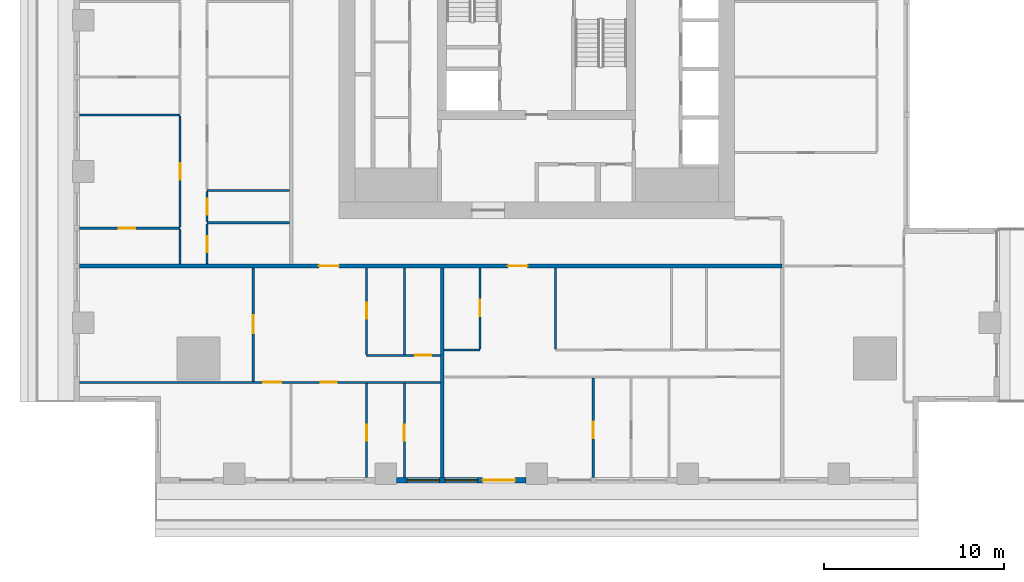
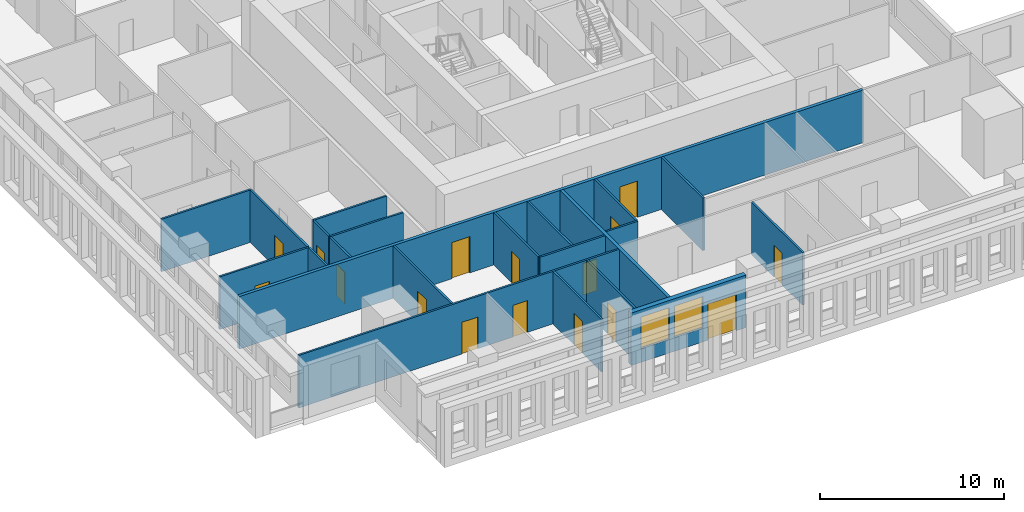
# One storey, part 2 of 15: 22 walls, 16 doors, 2 windows, 18 openings.
"""IFC4 building model written with IfcOpenShell, lengths in metres."""

from ifc_helpers import new_model, si_unit, direction, frame, frame_2d, origin, place, context, subcontext, project, spatial, rectangle, extrude, material, layer, layer_set, type_object, element, fill, save


model = new_model("IFC4")

# Units and contexts
model_context = context("Model", 3, precision=1e-05, world=origin(), true_north=direction((0.0, 1.0)))
body_context = subcontext(model_context, "Body", "Model", "MODEL_VIEW")
ifc_project = project(units=[si_unit("LENGTHUNIT", "METRE"), si_unit("AREAUNIT", "SQUARE_METRE"), si_unit("VOLUMEUNIT", "CUBIC_METRE"), si_unit("PLANEANGLEUNIT", "RADIAN"), si_unit("MASSUNIT", "GRAM", prefix="KILO")], contexts=[model_context])

# Site, building, storey
site_placement = place(None, origin())
site = spatial("IfcSite", under=ifc_project, at=site_placement, CompositionType="ELEMENT")
building_placement = place(site_placement, origin())
building = spatial("IfcBuilding", under=site, at=building_placement, Name="Khepri Terraces", CompositionType="ELEMENT")
storey_placement = place(building_placement, frame((0.0, 0.0, 223.5)))
storey = spatial("IfcBuildingStorey", under=building, at=storey_placement, Name="L53", CompositionType="ELEMENT", Elevation=223.5)

# Wall
ifc_material_1 = material(Name="Fire-rated gypsum plasterboard partition, mineral wool")
ifc_layer_1 = layer(ifc_material_1, 0.199951171875, Name="Fire-rated gypsum plasterboard partition, mineral wool")
ifc_layer_set_1 = layer_set([ifc_layer_1], Name="Fire-rated gypsum plasterboard partition, mineral wool")
wall_type_1 = type_object("IfcWallType", Name="WL-CORR-200", PredefinedType="PARTITIONING", material=ifc_layer_set_1)
wall_1_placement = place(storey_placement, frame((-5.25, -25.419921875, 0.0), z_axis=(0.0, 0.0, 1.0), x_axis=(0.0, 1.0, 0.0)))
element("IfcWall", 1, at=wall_1_placement, inside=storey, type_object=wall_type_1, Name="Partition P-004 L53", PredefinedType="PARTITIONING", context=body_context, shape_type="SweptSolid", body=[
    extrude(rectangle(XDim=11.669921875, YDim=0.199951171875, at=frame_2d((5.8349609375, 0.0))), origin(), (0.0, 0.0, 1.0), 3.47998046875),
])

# Wall, openings, doors
wall_2_placement = place(storey_placement, frame((-25.419921875, -13.64990234375, 0.0), z_axis=(0.0, 0.0, 1.0), x_axis=(1.0, 0.0, 0.0)))
wall_2 = element("IfcWall", 2, at=wall_2_placement, inside=storey, type_object=wall_type_1, Name="Partition P-023 L53", PredefinedType="PARTITIONING", context=body_context, shape_type="SweptSolid", body=[
    extrude(rectangle(XDim=39.06982421875, YDim=0.199951171875, at=frame_2d((19.534912109375, 0.0))), origin(), (0.0, 0.0, 1.0), 3.47998046875),
])
opening_1_placement = place(wall_2_placement, frame((13.320068359375, 0.0, 0.0)))
opening_1 = element("IfcOpeningElement", 3, at=opening_1_placement, cuts=wall_2, Name="Opening D1", PredefinedType="OPENING", context=body_context, shape_type="SweptSolid", body=[
    extrude(rectangle(XDim=1.10009765625, YDim=2.39990234375, at=frame_2d((0.550048828125, 1.199951171875))), frame((0.0, 0.10986328125, 0.0), z_axis=(0.0, -1.0, 0.0), x_axis=(1.0, 0.0, 0.0)), (0.0, 0.0, 1.0), 0.219970703125),
])
opening_2_placement = place(wall_2_placement, frame((23.820068359375, 0.0, 0.0)))
opening_2 = element("IfcOpeningElement", 4, at=opening_2_placement, cuts=wall_2, Name="Opening D1", PredefinedType="OPENING", context=body_context, shape_type="SweptSolid", body=[
    extrude(rectangle(XDim=1.10009765625, YDim=2.39990234375, at=frame_2d((0.550048828125, 1.199951171875))), frame((0.0, 0.10986328125, 0.0), z_axis=(0.0, -1.0, 0.0), x_axis=(1.0, 0.0, 0.0)), (0.0, 0.0, 1.0), 0.219970703125),
])
ifc_material_2 = material(Name="Solid-core timber door leaf, flat entrance door", Category="wood")
door_type_1 = type_object("IfcDoorType", Name="DR-ENT-1100", OperationType="NOTDEFINED", PredefinedType="DOOR", material=ifc_material_2)
door_1_placement = place(opening_1_placement, frame((1.10009765625, 0.0, 0.0), z_axis=(0.0, 0.0, 1.0), x_axis=(-1.0, 0.0, 0.0)))
door_1 = element("IfcDoor", 5, at=door_1_placement, inside=storey, type_object=door_type_1, Name="Flat A1 entrance door", OperationType="SINGLE_SWING_RIGHT", OverallHeight=2.39990234375, OverallWidth=1.10009765625, PredefinedType="DOOR", context=body_context, shape_type="SweptSolid", body=[
    extrude(rectangle(XDim=1.10009765625, YDim=2.39990234375, at=frame_2d((0.550048828125, 1.199951171875))), frame((0.0, 0.02490234375, 0.0), z_axis=(0.0, -1.0, 0.0), x_axis=(1.0, 0.0, 0.0)), (0.0, 0.0, 1.0), 0.050048828125),
])
fill(opening_1, door_1)
door_2_placement = place(opening_2_placement, frame((1.10009765625, 0.0, 0.0), z_axis=(0.0, 0.0, 1.0), x_axis=(-1.0, 0.0, 0.0)))
door_2 = element("IfcDoor", 6, at=door_2_placement, inside=storey, type_object=door_type_1, Name="Flat A2 entrance door", OperationType="SINGLE_SWING_LEFT", OverallHeight=2.39990234375, OverallWidth=1.10009765625, PredefinedType="DOOR", context=body_context, shape_type="SweptSolid", body=[
    extrude(rectangle(XDim=1.10009765625, YDim=2.39990234375, at=frame_2d((0.550048828125, 1.199951171875))), frame((0.0, 0.02490234375, 0.0), z_axis=(0.0, -1.0, 0.0), x_axis=(1.0, 0.0, 0.0)), (0.0, 0.0, 1.0), 0.050048828125),
])
fill(opening_2, door_2)

# Wall, openings, door, windows
ifc_material_3 = material(Name="Precast concrete C50/60 warm stone", Category="masonry")
ifc_layer_2 = layer(ifc_material_3, 0.300048828125, Name="Precast concrete C50/60 warm stone", Category="masonry")
ifc_layer_set_2 = layer_set([ifc_layer_2], Name="Precast concrete C50/60 warm stone")
wall_type_2 = type_object("IfcWallType", Name="WL-EXT-PRECAST-300", PredefinedType="STANDARD", material=ifc_layer_set_2)
wall_3_placement = place(storey_placement, frame((-7.800048828125, -25.570068359375, 0.0), z_axis=(0.0, 0.0, 1.0), x_axis=(1.0, 0.0, 0.0)))
wall_3 = element("IfcWall", 7, at=wall_3_placement, inside=storey, type_object=wall_type_2, Name="External wall L53 S", PredefinedType="STANDARD", context=body_context, shape_type="SweptSolid", body=[
    extrude(rectangle(XDim=7.199951171875, YDim=0.300048828125, at=frame_2d((3.60009765625, 0.0))), origin(), (0.0, 0.0, 1.0), 3.47998046875),
])
opening_3_placement = place(wall_3_placement, frame((0.60009765625, 0.0, 0.89990234375)))
opening_3 = element("IfcOpeningElement", 8, at=opening_3_placement, cuts=wall_3, Name="Opening W1", PredefinedType="OPENING", context=body_context, shape_type="SweptSolid", body=[
    extrude(rectangle(XDim=1.800048828125, YDim=2.10009765625, at=frame_2d((0.89990234375, 1.050048828125))), frame((0.0, 0.16015625, 0.0), z_axis=(0.0, -1.0, 0.0), x_axis=(1.0, 0.0, 0.0)), (0.0, 0.0, 1.0), 0.320068359375),
])
opening_4_placement = place(wall_3_placement, frame((2.699951171875, 0.0, 0.89990234375)))
opening_4 = element("IfcOpeningElement", 9, at=opening_4_placement, cuts=wall_3, Name="Opening W1", PredefinedType="OPENING", context=body_context, shape_type="SweptSolid", body=[
    extrude(rectangle(XDim=1.800048828125, YDim=2.10009765625, at=frame_2d((0.89990234375, 1.050048828125))), frame((0.0, 0.16015625, 0.0), z_axis=(0.0, -1.0, 0.0), x_axis=(1.0, 0.0, 0.0)), (0.0, 0.0, 1.0), 0.320068359375),
])
opening_5_placement = place(wall_3_placement, frame((4.800048828125, 0.0, 0.0)))
opening_5 = element("IfcOpeningElement", 10, at=opening_5_placement, cuts=wall_3, Name="Opening ED-L53-17", PredefinedType="OPENING", context=body_context, shape_type="SweptSolid", body=[
    extrude(rectangle(XDim=1.800048828125, YDim=2.39990234375, at=frame_2d((0.89990234375, 1.199951171875))), frame((0.0, 0.16015625, 0.0), z_axis=(0.0, -1.0, 0.0), x_axis=(1.0, 0.0, 0.0)), (0.0, 0.0, 1.0), 0.320068359375),
])
ifc_material_4 = material(Name="Anodised aluminium bronze glazed door", Category="aluminium")
door_type_2 = type_object("IfcDoorType", Name="DR-BAL-SLIDE-1800x2400", OperationType="NOTDEFINED", PredefinedType="DOOR", material=ifc_material_4)
door_3_placement = place(opening_5_placement, origin())
door_3 = element("IfcDoor", 11, at=door_3_placement, inside=storey, type_object=door_type_2, Name="Balcony door L53 S", OperationType="SLIDING_TO_RIGHT", OverallHeight=2.39990234375, OverallWidth=1.800048828125, PredefinedType="DOOR", context=body_context, shape_type="SweptSolid", body=[
    extrude(rectangle(XDim=1.800048828125, YDim=2.39990234375, at=frame_2d((0.89990234375, 1.199951171875))), frame((0.0, 0.02490234375, 0.0), z_axis=(0.0, -1.0, 0.0), x_axis=(1.0, 0.0, 0.0)), (0.0, 0.0, 1.0), 0.050048828125),
])
fill(opening_5, door_3)
ifc_material_5 = material(Name="Clear glass", Category="glass")
window_type = type_object("IfcWindowType", Name="WIN-RES-1800x2100", PartitioningType="SINGLE_PANEL", PredefinedType="WINDOW", material=ifc_material_5)
window_1_placement = place(opening_3_placement, origin())
window_1 = element("IfcWindow", 12, at=window_1_placement, inside=storey, type_object=window_type, Name="Window L53 S", OverallHeight=2.10009765625, OverallWidth=1.800048828125, PartitioningType="SINGLE_PANEL", PredefinedType="WINDOW", context=body_context, shape_type="SweptSolid", body=[
    extrude(rectangle(XDim=1.800048828125, YDim=2.10009765625, at=frame_2d((0.89990234375, 1.050048828125))), frame((0.0, 0.030029296875, 0.0), z_axis=(0.0, -1.0, 0.0), x_axis=(1.0, 0.0, 0.0)), (0.0, 0.0, 1.0), 0.06005859375),
])
fill(opening_3, window_1)
window_2_placement = place(opening_4_placement, origin())
window_2 = element("IfcWindow", 13, at=window_2_placement, inside=storey, type_object=window_type, Name="Window L53 S", OverallHeight=2.10009765625, OverallWidth=1.800048828125, PartitioningType="SINGLE_PANEL", PredefinedType="WINDOW", context=body_context, shape_type="SweptSolid", body=[
    extrude(rectangle(XDim=1.800048828125, YDim=2.10009765625, at=frame_2d((0.89990234375, 1.050048828125))), frame((0.0, 0.030029296875, 0.0), z_axis=(0.0, -1.0, 0.0), x_axis=(1.0, 0.0, 0.0)), (0.0, 0.0, 1.0), 0.06005859375),
])
fill(opening_4, window_2)

# Wall, opening, door
ifc_material_6 = material(Name="Gypsum plasterboard partition")
ifc_layer_3 = layer(ifc_material_6, 0.1201171875, Name="Gypsum plasterboard partition")
ifc_layer_set_3 = layer_set([ifc_layer_3], Name="Gypsum plasterboard partition")
wall_type_3 = type_object("IfcWallType", Name="WL-PART-120", PredefinedType="PARTITIONING", material=ifc_layer_set_3)
wall_4_placement = place(storey_placement, frame((-9.449951171875, -25.419921875, 0.0), z_axis=(0.0, 0.0, 1.0), x_axis=(0.0, 1.0, 0.0)))
wall_4 = element("IfcWall", 14, at=wall_4_placement, inside=storey, type_object=wall_type_3, Name="Partition P-002 L53", PredefinedType="PARTITIONING", context=body_context, shape_type="SweptSolid", body=[
    extrude(rectangle(XDim=5.239990234375, YDim=0.1201171875, at=frame_2d((2.6201171875, 0.0))), origin(), (0.0, 0.0, 1.0), 3.47998046875),
])
opening_6_placement = place(wall_4_placement, frame((2.050048828125, 0.0, 0.0)))
opening_6 = element("IfcOpeningElement", 15, at=opening_6_placement, cuts=wall_4, Name="Opening D3", PredefinedType="OPENING", context=body_context, shape_type="SweptSolid", body=[
    extrude(rectangle(XDim=0.89990234375, YDim=2.10009765625, at=frame_2d((0.449951171875, 1.050048828125))), frame((0.0, 0.070068359375, 0.0), z_axis=(0.0, -1.0, 0.0), x_axis=(1.0, 0.0, 0.0)), (0.0, 0.0, 1.0), 0.14013671875),
])
ifc_material_7 = material(Name="Timber door leaf", Category="wood")
door_type_3 = type_object("IfcDoorType", Name="DR-INT-900", OperationType="NOTDEFINED", PredefinedType="DOOR", material=ifc_material_7)
door_4_placement = place(opening_6_placement, frame((0.89990234375, 0.0, 0.0), z_axis=(0.0, 0.0, 1.0), x_axis=(-1.0, 0.0, 0.0)))
door_4 = element("IfcDoor", 16, at=door_4_placement, inside=storey, type_object=door_type_3, Name="Door Dressing Room", OperationType="SINGLE_SWING_RIGHT", OverallHeight=2.10009765625, OverallWidth=0.89990234375, PredefinedType="DOOR", context=body_context, shape_type="SweptSolid", body=[
    extrude(rectangle(XDim=0.89990234375, YDim=2.10009765625, at=frame_2d((0.449951171875, 1.050048828125))), frame((0.0, 0.02490234375, 0.0), z_axis=(0.0, -1.0, 0.0), x_axis=(1.0, 0.0, 0.0)), (0.0, 0.0, 1.0), 0.050048828125),
])
fill(opening_6, door_4)

wall_5_placement = place(storey_placement, frame((-7.35009765625, -25.419921875, 0.0), z_axis=(0.0, 0.0, 1.0), x_axis=(0.0, 1.0, 0.0)))
wall_5 = element("IfcWall", 17, at=wall_5_placement, inside=storey, type_object=wall_type_3, Name="Partition P-003 L53", PredefinedType="PARTITIONING", context=body_context, shape_type="SweptSolid", body=[
    extrude(rectangle(XDim=5.239990234375, YDim=0.1201171875, at=frame_2d((2.6201171875, 0.0))), origin(), (0.0, 0.0, 1.0), 3.47998046875),
])
opening_7_placement = place(wall_5_placement, frame((2.050048828125, 0.0, 0.0)))
opening_7 = element("IfcOpeningElement", 18, at=opening_7_placement, cuts=wall_5, Name="Opening D4", PredefinedType="OPENING", context=body_context, shape_type="SweptSolid", body=[
    extrude(rectangle(XDim=0.89990234375, YDim=2.10009765625, at=frame_2d((0.449951171875, 1.050048828125))), frame((0.0, 0.070068359375, 0.0), z_axis=(0.0, -1.0, 0.0), x_axis=(1.0, 0.0, 0.0)), (0.0, 0.0, 1.0), 0.14013671875),
])
ifc_material_8 = material(Name="Timber door leaf, moisture resistant", Category="wood")
door_type_4 = type_object("IfcDoorType", Name="DR-WET-900", OperationType="NOTDEFINED", PredefinedType="DOOR", material=ifc_material_8)
door_5_placement = place(opening_7_placement, frame((0.89990234375, 0.0, 0.0), z_axis=(0.0, 0.0, 1.0), x_axis=(-1.0, 0.0, 0.0)))
door_5 = element("IfcDoor", 19, at=door_5_placement, inside=storey, type_object=door_type_4, Name="Door Bathroom", OperationType="SINGLE_SWING_RIGHT", OverallHeight=2.10009765625, OverallWidth=0.89990234375, PredefinedType="DOOR", context=body_context, shape_type="SweptSolid", body=[
    extrude(rectangle(XDim=0.89990234375, YDim=2.10009765625, at=frame_2d((0.449951171875, 1.050048828125))), frame((0.0, 0.02490234375, 0.0), z_axis=(0.0, -1.0, 0.0), x_axis=(1.0, 0.0, 0.0)), (0.0, 0.0, 1.0), 0.050048828125),
])
fill(opening_7, door_5)

wall_6_placement = place(storey_placement, frame((3.14990234375, -25.419921875, 0.0), z_axis=(0.0, 0.0, 1.0), x_axis=(0.0, 1.0, 0.0)))
wall_6 = element("IfcWall", 20, at=wall_6_placement, inside=storey, type_object=wall_type_3, Name="Partition P-005 L53", PredefinedType="PARTITIONING", context=body_context, shape_type="SweptSolid", body=[
    extrude(rectangle(XDim=5.5400390625, YDim=0.1201171875, at=frame_2d((2.77001953125, 0.0))), origin(), (0.0, 0.0, 1.0), 3.47998046875),
])
opening_8_placement = place(wall_6_placement, frame((2.199951171875, 0.0, 0.0)))
opening_8 = element("IfcOpeningElement", 21, at=opening_8_placement, cuts=wall_6, Name="Opening D3", PredefinedType="OPENING", context=body_context, shape_type="SweptSolid", body=[
    extrude(rectangle(XDim=0.89990234375, YDim=2.10009765625, at=frame_2d((0.449951171875, 1.050048828125))), frame((0.0, 0.070068359375, 0.0), z_axis=(0.0, -1.0, 0.0), x_axis=(1.0, 0.0, 0.0)), (0.0, 0.0, 1.0), 0.14013671875),
])
door_6_placement = place(opening_8_placement, frame((0.89990234375, 0.0, 0.0), z_axis=(0.0, 0.0, 1.0), x_axis=(-1.0, 0.0, 0.0)))
door_6 = element("IfcDoor", 22, at=door_6_placement, inside=storey, type_object=door_type_3, Name="Door Dressing Room", OperationType="SINGLE_SWING_RIGHT", OverallHeight=2.10009765625, OverallWidth=0.89990234375, PredefinedType="DOOR", context=body_context, shape_type="SweptSolid", body=[
    extrude(rectangle(XDim=0.89990234375, YDim=2.10009765625, at=frame_2d((0.449951171875, 1.050048828125))), frame((0.0, 0.02490234375, 0.0), z_axis=(0.0, -1.0, 0.0), x_axis=(1.0, 0.0, 0.0)), (0.0, 0.0, 1.0), 0.050048828125),
])
fill(opening_8, door_6)

# Wall, openings, doors
wall_7_placement = place(storey_placement, frame((-25.419921875, -20.1201171875, 0.0), z_axis=(0.0, 0.0, 1.0), x_axis=(1.0, 0.0, 0.0)))
wall_7 = element("IfcWall", 23, at=wall_7_placement, inside=storey, type_object=wall_type_3, Name="Partition P-011 L53", PredefinedType="PARTITIONING", context=body_context, shape_type="SweptSolid", body=[
    extrude(rectangle(XDim=20.06982421875, YDim=0.1201171875, at=frame_2d((10.034912109375, 0.0))), origin(), (0.0, 0.0, 1.0), 3.47998046875),
])
opening_9_placement = place(wall_7_placement, frame((10.219970703125, 0.0, 0.0)))
opening_9 = element("IfcOpeningElement", 24, at=opening_9_placement, cuts=wall_7, Name="Opening D2", PredefinedType="OPENING", context=body_context, shape_type="SweptSolid", body=[
    extrude(rectangle(XDim=1.0, YDim=2.10009765625, at=frame_2d((0.5, 1.050048828125))), frame((0.0, 0.070068359375, 0.0), z_axis=(0.0, -1.0, 0.0), x_axis=(1.0, 0.0, 0.0)), (0.0, 0.0, 1.0), 0.14013671875),
])
opening_10_placement = place(wall_7_placement, frame((13.419921875, 0.0, 0.0)))
opening_10 = element("IfcOpeningElement", 25, at=opening_10_placement, cuts=wall_7, Name="Opening D3", PredefinedType="OPENING", context=body_context, shape_type="SweptSolid", body=[
    extrude(rectangle(XDim=0.89990234375, YDim=2.10009765625, at=frame_2d((0.449951171875, 1.050048828125))), frame((0.0, 0.070068359375, 0.0), z_axis=(0.0, -1.0, 0.0), x_axis=(1.0, 0.0, 0.0)), (0.0, 0.0, 1.0), 0.14013671875),
])
ifc_material_9 = material(Name="Timber door leaf, living room door", Category="wood")
door_type_5 = type_object("IfcDoorType", Name="DR-INT-1000", OperationType="NOTDEFINED", PredefinedType="DOOR", material=ifc_material_9)
door_7_placement = place(opening_9_placement, frame((1.0, 0.0, 0.0), z_axis=(0.0, 0.0, 1.0), x_axis=(-1.0, 0.0, 0.0)))
door_7 = element("IfcDoor", 26, at=door_7_placement, inside=storey, type_object=door_type_5, Name="Door Living Room", OperationType="SINGLE_SWING_LEFT", OverallHeight=2.10009765625, OverallWidth=1.0, PredefinedType="DOOR", context=body_context, shape_type="SweptSolid", body=[
    extrude(rectangle(XDim=1.0, YDim=2.10009765625, at=frame_2d((0.5, 1.050048828125))), frame((0.0, 0.02490234375, 0.0), z_axis=(0.0, -1.0, 0.0), x_axis=(1.0, 0.0, 0.0)), (0.0, 0.0, 1.0), 0.050048828125),
])
fill(opening_9, door_7)
door_8_placement = place(opening_10_placement, frame((0.89990234375, 0.0, 0.0), z_axis=(0.0, 0.0, 1.0), x_axis=(-1.0, 0.0, 0.0)))
door_8 = element("IfcDoor", 27, at=door_8_placement, inside=storey, type_object=door_type_3, Name="Door Master Bedroom", OperationType="SINGLE_SWING_LEFT", OverallHeight=2.10009765625, OverallWidth=0.89990234375, PredefinedType="DOOR", context=body_context, shape_type="SweptSolid", body=[
    extrude(rectangle(XDim=0.89990234375, YDim=2.10009765625, at=frame_2d((0.449951171875, 1.050048828125))), frame((0.0, 0.02490234375, 0.0), z_axis=(0.0, -1.0, 0.0), x_axis=(1.0, 0.0, 0.0)), (0.0, 0.0, 1.0), 0.050048828125),
])
fill(opening_10, door_8)

# Wall, opening, door
wall_8_placement = place(storey_placement, frame((-15.75, -20.06005859375, 0.0), z_axis=(0.0, 0.0, 1.0), x_axis=(0.0, 1.0, 0.0)))
wall_8 = element("IfcWall", 28, at=wall_8_placement, inside=storey, type_object=wall_type_3, Name="Partition P-012 L53", PredefinedType="PARTITIONING", context=body_context, shape_type="SweptSolid", body=[
    extrude(rectangle(XDim=6.31005859375, YDim=0.1201171875, at=frame_2d((3.155029296875, 0.0))), origin(), (0.0, 0.0, 1.0), 3.47998046875),
])
opening_11_placement = place(wall_8_placement, frame((2.675048828125, 0.0, 0.0)))
opening_11 = element("IfcOpeningElement", 29, at=opening_11_placement, cuts=wall_8, Name="Opening D2", PredefinedType="OPENING", context=body_context, shape_type="SweptSolid", body=[
    extrude(rectangle(XDim=1.0, YDim=2.10009765625, at=frame_2d((0.5, 1.050048828125))), frame((0.0, 0.070068359375, 0.0), z_axis=(0.0, -1.0, 0.0), x_axis=(1.0, 0.0, 0.0)), (0.0, 0.0, 1.0), 0.14013671875),
])
door_9_placement = place(opening_11_placement, origin())
door_9 = element("IfcDoor", 30, at=door_9_placement, inside=storey, type_object=door_type_5, Name="Door Family Room", OperationType="SINGLE_SWING_RIGHT", OverallHeight=2.10009765625, OverallWidth=1.0, PredefinedType="DOOR", context=body_context, shape_type="SweptSolid", body=[
    extrude(rectangle(XDim=1.0, YDim=2.10009765625, at=frame_2d((0.5, 1.050048828125))), frame((0.0, 0.02490234375, 0.0), z_axis=(0.0, -1.0, 0.0), x_axis=(1.0, 0.0, 0.0)), (0.0, 0.0, 1.0), 0.050048828125),
])
fill(opening_11, door_9)

wall_9_placement = place(storey_placement, frame((-9.449951171875, -18.6201171875, 0.0), z_axis=(0.0, 0.0, 1.0), x_axis=(1.0, 0.0, 0.0)))
wall_9 = element("IfcWall", 31, at=wall_9_placement, inside=storey, type_object=wall_type_3, Name="Partition P-014 L53", PredefinedType="PARTITIONING", context=body_context, shape_type="SweptSolid", body=[
    extrude(rectangle(XDim=4.099853515625, YDim=0.1201171875, at=frame_2d((2.0498046875, 0.0))), origin(), (0.0, 0.0, 1.0), 3.47998046875),
])
opening_12_placement = place(wall_9_placement, frame((2.699951171875, 0.0, 0.0)))
opening_12 = element("IfcOpeningElement", 32, at=opening_12_placement, cuts=wall_9, Name="Opening D3", PredefinedType="OPENING", context=body_context, shape_type="SweptSolid", body=[
    extrude(rectangle(XDim=0.89990234375, YDim=2.10009765625, at=frame_2d((0.449951171875, 1.050048828125))), frame((0.0, 0.070068359375, 0.0), z_axis=(0.0, -1.0, 0.0), x_axis=(1.0, 0.0, 0.0)), (0.0, 0.0, 1.0), 0.14013671875),
])
door_10_placement = place(opening_12_placement, origin())
door_10 = element("IfcDoor", 33, at=door_10_placement, inside=storey, type_object=door_type_3, Name="Door Kitchen", OperationType="SINGLE_SWING_RIGHT", OverallHeight=2.10009765625, OverallWidth=0.89990234375, PredefinedType="DOOR", context=body_context, shape_type="SweptSolid", body=[
    extrude(rectangle(XDim=0.89990234375, YDim=2.10009765625, at=frame_2d((0.449951171875, 1.050048828125))), frame((0.0, 0.02490234375, 0.0), z_axis=(0.0, -1.0, 0.0), x_axis=(1.0, 0.0, 0.0)), (0.0, 0.0, 1.0), 0.050048828125),
])
fill(opening_12, door_10)

wall_10_placement = place(storey_placement, frame((-9.449951171875, -18.56005859375, 0.0), z_axis=(0.0, 0.0, 1.0), x_axis=(0.0, 1.0, 0.0)))
wall_10 = element("IfcWall", 34, at=wall_10_placement, inside=storey, type_object=wall_type_3, Name="Partition P-015 L53", PredefinedType="PARTITIONING", context=body_context, shape_type="SweptSolid", body=[
    extrude(rectangle(XDim=4.81005859375, YDim=0.1201171875, at=frame_2d((2.405029296875, 0.0))), origin(), (0.0, 0.0, 1.0), 3.47998046875),
])
opening_13_placement = place(wall_10_placement, frame((1.97509765625, 0.0, 0.0)))
opening_13 = element("IfcOpeningElement", 35, at=opening_13_placement, cuts=wall_10, Name="Opening D4", PredefinedType="OPENING", context=body_context, shape_type="SweptSolid", body=[
    extrude(rectangle(XDim=0.89990234375, YDim=2.10009765625, at=frame_2d((0.449951171875, 1.050048828125))), frame((0.0, 0.070068359375, 0.0), z_axis=(0.0, -1.0, 0.0), x_axis=(1.0, 0.0, 0.0)), (0.0, 0.0, 1.0), 0.14013671875),
])
door_11_placement = place(opening_13_placement, frame((0.89990234375, 0.0, 0.0), z_axis=(0.0, 0.0, 1.0), x_axis=(-1.0, 0.0, 0.0)))
door_11 = element("IfcDoor", 36, at=door_11_placement, inside=storey, type_object=door_type_4, Name="Door Guest Bathroom", OperationType="SINGLE_SWING_LEFT", OverallHeight=2.10009765625, OverallWidth=0.89990234375, PredefinedType="DOOR", context=body_context, shape_type="SweptSolid", body=[
    extrude(rectangle(XDim=0.89990234375, YDim=2.10009765625, at=frame_2d((0.449951171875, 1.050048828125))), frame((0.0, 0.02490234375, 0.0), z_axis=(0.0, -1.0, 0.0), x_axis=(1.0, 0.0, 0.0)), (0.0, 0.0, 1.0), 0.050048828125),
])
fill(opening_13, door_11)

# Walls
wall_11_placement = place(storey_placement, frame((-7.35009765625, -18.56005859375, 0.0), z_axis=(0.0, 0.0, 1.0), x_axis=(0.0, 1.0, 0.0)))
element("IfcWall", 37, at=wall_11_placement, inside=storey, type_object=wall_type_3, Name="Partition P-016 L53", PredefinedType="PARTITIONING", context=body_context, shape_type="SweptSolid", body=[
    extrude(rectangle(XDim=4.81005859375, YDim=0.1201171875, at=frame_2d((2.405029296875, 0.0))), origin(), (0.0, 0.0, 1.0), 3.47998046875),
])
wall_12_placement = place(storey_placement, frame((-5.14990234375, -18.320068359375, 0.0), z_axis=(0.0, 0.0, 1.0), x_axis=(1.0, 0.0, 0.0)))
element("IfcWall", 38, at=wall_12_placement, inside=storey, type_object=wall_type_3, Name="Partition P-017 L53", PredefinedType="PARTITIONING", context=body_context, shape_type="SweptSolid", body=[
    extrude(rectangle(XDim=2.0, YDim=0.1201171875, at=frame_2d((1.0, 0.0))), origin(), (0.0, 0.0, 1.0), 3.47998046875),
])

# Wall, opening, door
wall_13_placement = place(storey_placement, frame((-3.14990234375, -18.260009765625, 0.0), z_axis=(0.0, 0.0, 1.0), x_axis=(0.0, 1.0, 0.0)))
wall_13 = element("IfcWall", 39, at=wall_13_placement, inside=storey, type_object=wall_type_3, Name="Partition P-019 L53", PredefinedType="PARTITIONING", context=body_context, shape_type="SweptSolid", body=[
    extrude(rectangle(XDim=4.510009765625, YDim=0.1201171875, at=frame_2d((2.2548828125, 0.0))), origin(), (0.0, 0.0, 1.0), 3.47998046875),
])
opening_14_placement = place(wall_13_placement, frame((1.824951171875, 0.0, 0.0)))
opening_14 = element("IfcOpeningElement", 40, at=opening_14_placement, cuts=wall_13, Name="Opening D4", PredefinedType="OPENING", context=body_context, shape_type="SweptSolid", body=[
    extrude(rectangle(XDim=0.89990234375, YDim=2.10009765625, at=frame_2d((0.449951171875, 1.050048828125))), frame((0.0, 0.070068359375, 0.0), z_axis=(0.0, -1.0, 0.0), x_axis=(1.0, 0.0, 0.0)), (0.0, 0.0, 1.0), 0.14013671875),
])
door_12_placement = place(opening_14_placement, origin())
door_12 = element("IfcDoor", 41, at=door_12_placement, inside=storey, type_object=door_type_4, Name="Door Guest Bathroom", OperationType="SINGLE_SWING_RIGHT", OverallHeight=2.10009765625, OverallWidth=0.89990234375, PredefinedType="DOOR", context=body_context, shape_type="SweptSolid", body=[
    extrude(rectangle(XDim=0.89990234375, YDim=2.10009765625, at=frame_2d((0.449951171875, 1.050048828125))), frame((0.0, 0.02490234375, 0.0), z_axis=(0.0, -1.0, 0.0), x_axis=(1.0, 0.0, 0.0)), (0.0, 0.0, 1.0), 0.050048828125),
])
fill(opening_14, door_12)

# Walls
wall_14_placement = place(storey_placement, frame((1.050048828125, -18.260009765625, 0.0), z_axis=(0.0, 0.0, 1.0), x_axis=(0.0, 1.0, 0.0)))
element("IfcWall", 42, at=wall_14_placement, inside=storey, type_object=wall_type_3, Name="Partition P-020 L53", PredefinedType="PARTITIONING", context=body_context, shape_type="SweptSolid", body=[
    extrude(rectangle(XDim=4.510009765625, YDim=0.1201171875, at=frame_2d((2.2548828125, 0.0))), origin(), (0.0, 0.0, 1.0), 3.47998046875),
])
wall_15_placement = place(storey_placement, frame((-19.820068359375, -13.550048828125, 0.0), z_axis=(0.0, 0.0, 1.0), x_axis=(0.0, 1.0, 0.0)))
element("IfcWall", 43, at=wall_15_placement, inside=storey, type_object=wall_type_3, Name="Partition P-026 L53", PredefinedType="PARTITIONING", context=body_context, shape_type="SweptSolid", body=[
    extrude(rectangle(XDim=1.93994140625, YDim=0.1201171875, at=frame_2d((0.969970703125, 0.0))), origin(), (0.0, 0.0, 1.0), 3.47998046875),
])

# Wall, opening, door
wall_16_placement = place(storey_placement, frame((-18.320068359375, -13.550048828125, 0.0), z_axis=(0.0, 0.0, 1.0), x_axis=(0.0, 1.0, 0.0)))
wall_16 = element("IfcWall", 44, at=wall_16_placement, inside=storey, type_object=wall_type_3, Name="Partition P-027 L53", PredefinedType="PARTITIONING", context=body_context, shape_type="SweptSolid", body=[
    extrude(rectangle(XDim=2.239990234375, YDim=0.1201171875, at=frame_2d((1.1201171875, 0.0))), origin(), (0.0, 0.0, 1.0), 3.47998046875),
])
opening_15_placement = place(wall_16_placement, frame((0.64990234375, 0.0, 0.0)))
opening_15 = element("IfcOpeningElement", 45, at=opening_15_placement, cuts=wall_16, Name="Opening D4", PredefinedType="OPENING", context=body_context, shape_type="SweptSolid", body=[
    extrude(rectangle(XDim=0.89990234375, YDim=2.10009765625, at=frame_2d((0.449951171875, 1.050048828125))), frame((0.0, 0.070068359375, 0.0), z_axis=(0.0, -1.0, 0.0), x_axis=(1.0, 0.0, 0.0)), (0.0, 0.0, 1.0), 0.14013671875),
])
door_13_placement = place(opening_15_placement, frame((0.89990234375, 0.0, 0.0), z_axis=(0.0, 0.0, 1.0), x_axis=(-1.0, 0.0, 0.0)))
door_13 = element("IfcDoor", 46, at=door_13_placement, inside=storey, type_object=door_type_4, Name="Door Guest Bathroom", OperationType="SINGLE_SWING_RIGHT", OverallHeight=2.10009765625, OverallWidth=0.89990234375, PredefinedType="DOOR", context=body_context, shape_type="SweptSolid", body=[
    extrude(rectangle(XDim=0.89990234375, YDim=2.10009765625, at=frame_2d((0.449951171875, 1.050048828125))), frame((0.0, 0.02490234375, 0.0), z_axis=(0.0, -1.0, 0.0), x_axis=(1.0, 0.0, 0.0)), (0.0, 0.0, 1.0), 0.050048828125),
])
fill(opening_15, door_13)

wall_17_placement = place(storey_placement, frame((-25.419921875, -11.550048828125, 0.0), z_axis=(0.0, 0.0, 1.0), x_axis=(1.0, 0.0, 0.0)))
wall_17 = element("IfcWall", 47, at=wall_17_placement, inside=storey, type_object=wall_type_3, Name="Partition P-030 L53", PredefinedType="PARTITIONING", context=body_context, shape_type="SweptSolid", body=[
    extrude(rectangle(XDim=5.599853515625, YDim=0.1201171875, at=frame_2d((2.7998046875, 0.0))), origin(), (0.0, 0.0, 1.0), 3.47998046875),
])
opening_16_placement = place(wall_17_placement, frame((2.199951171875, 0.0, 0.0)))
opening_16 = element("IfcOpeningElement", 48, at=opening_16_placement, cuts=wall_17, Name="Opening D4", PredefinedType="OPENING", context=body_context, shape_type="SweptSolid", body=[
    extrude(rectangle(XDim=0.89990234375, YDim=2.10009765625, at=frame_2d((0.449951171875, 1.050048828125))), frame((0.0, 0.070068359375, 0.0), z_axis=(0.0, -1.0, 0.0), x_axis=(1.0, 0.0, 0.0)), (0.0, 0.0, 1.0), 0.14013671875),
])
door_14_placement = place(opening_16_placement, frame((0.89990234375, 0.0, 0.0), z_axis=(0.0, 0.0, 1.0), x_axis=(-1.0, 0.0, 0.0)))
door_14 = element("IfcDoor", 49, at=door_14_placement, inside=storey, type_object=door_type_4, Name="Door Bathroom", OperationType="SINGLE_SWING_RIGHT", OverallHeight=2.10009765625, OverallWidth=0.89990234375, PredefinedType="DOOR", context=body_context, shape_type="SweptSolid", body=[
    extrude(rectangle(XDim=0.89990234375, YDim=2.10009765625, at=frame_2d((0.449951171875, 1.050048828125))), frame((0.0, 0.02490234375, 0.0), z_axis=(0.0, -1.0, 0.0), x_axis=(1.0, 0.0, 0.0)), (0.0, 0.0, 1.0), 0.050048828125),
])
fill(opening_16, door_14)

wall_18_placement = place(storey_placement, frame((-19.820068359375, -11.489990234375, 0.0), z_axis=(0.0, 0.0, 1.0), x_axis=(0.0, 1.0, 0.0)))
wall_18 = element("IfcWall", 50, at=wall_18_placement, inside=storey, type_object=wall_type_3, Name="Partition P-032 L53", PredefinedType="PARTITIONING", context=body_context, shape_type="SweptSolid", body=[
    extrude(rectangle(XDim=6.179931640625, YDim=0.1201171875, at=frame_2d((3.08984375, 0.0))), origin(), (0.0, 0.0, 1.0), 3.47998046875),
])
opening_17_placement = place(wall_18_placement, frame((2.639892578125, 0.0, 0.0)))
opening_17 = element("IfcOpeningElement", 51, at=opening_17_placement, cuts=wall_18, Name="Opening D3", PredefinedType="OPENING", context=body_context, shape_type="SweptSolid", body=[
    extrude(rectangle(XDim=0.89990234375, YDim=2.10009765625, at=frame_2d((0.449951171875, 1.050048828125))), frame((0.0, 0.070068359375, 0.0), z_axis=(0.0, -1.0, 0.0), x_axis=(1.0, 0.0, 0.0)), (0.0, 0.0, 1.0), 0.14013671875),
])
door_15_placement = place(opening_17_placement, origin())
door_15 = element("IfcDoor", 52, at=door_15_placement, inside=storey, type_object=door_type_3, Name="Door Bedroom", OperationType="SINGLE_SWING_LEFT", OverallHeight=2.10009765625, OverallWidth=0.89990234375, PredefinedType="DOOR", context=body_context, shape_type="SweptSolid", body=[
    extrude(rectangle(XDim=0.89990234375, YDim=2.10009765625, at=frame_2d((0.449951171875, 1.050048828125))), frame((0.0, 0.02490234375, 0.0), z_axis=(0.0, -1.0, 0.0), x_axis=(1.0, 0.0, 0.0)), (0.0, 0.0, 1.0), 0.050048828125),
])
fill(opening_17, door_15)

# Wall
wall_19_placement = place(storey_placement, frame((-18.320068359375, -11.25, 0.0), z_axis=(0.0, 0.0, 1.0), x_axis=(1.0, 0.0, 0.0)))
element("IfcWall", 53, at=wall_19_placement, inside=storey, type_object=wall_type_3, Name="Partition P-033 L53", PredefinedType="PARTITIONING", context=body_context, shape_type="SweptSolid", body=[
    extrude(rectangle(XDim=4.570068359375, YDim=0.1201171875, at=frame_2d((2.28515625, 0.0))), origin(), (0.0, 0.0, 1.0), 3.47998046875),
])

# Wall, opening, door
wall_20_placement = place(storey_placement, frame((-18.320068359375, -11.18994140625, 0.0), z_axis=(0.0, 0.0, 1.0), x_axis=(0.0, 1.0, 0.0)))
wall_20 = element("IfcWall", 54, at=wall_20_placement, inside=storey, type_object=wall_type_3, Name="Partition P-034 L53", PredefinedType="PARTITIONING", context=body_context, shape_type="SweptSolid", body=[
    extrude(rectangle(XDim=1.679931640625, YDim=0.1201171875, at=frame_2d((0.83984375, 0.0))), origin(), (0.0, 0.0, 1.0), 3.47998046875),
])
opening_18_placement = place(wall_20_placement, frame((0.389892578125, 0.0, 0.0)))
opening_18 = element("IfcOpeningElement", 55, at=opening_18_placement, cuts=wall_20, Name="Opening D4", PredefinedType="OPENING", context=body_context, shape_type="SweptSolid", body=[
    extrude(rectangle(XDim=0.89990234375, YDim=2.10009765625, at=frame_2d((0.449951171875, 1.050048828125))), frame((0.0, 0.070068359375, 0.0), z_axis=(0.0, -1.0, 0.0), x_axis=(1.0, 0.0, 0.0)), (0.0, 0.0, 1.0), 0.14013671875),
])
door_16_placement = place(opening_18_placement, frame((0.89990234375, 0.0, 0.0), z_axis=(0.0, 0.0, 1.0), x_axis=(-1.0, 0.0, 0.0)))
door_16 = element("IfcDoor", 56, at=door_16_placement, inside=storey, type_object=door_type_4, Name="Door Powder Room", OperationType="SINGLE_SWING_LEFT", OverallHeight=2.10009765625, OverallWidth=0.89990234375, PredefinedType="DOOR", context=body_context, shape_type="SweptSolid", body=[
    extrude(rectangle(XDim=0.89990234375, YDim=2.10009765625, at=frame_2d((0.449951171875, 1.050048828125))), frame((0.0, 0.02490234375, 0.0), z_axis=(0.0, -1.0, 0.0), x_axis=(1.0, 0.0, 0.0)), (0.0, 0.0, 1.0), 0.050048828125),
])
fill(opening_18, door_16)

# Walls
wall_21_placement = place(storey_placement, frame((-18.320068359375, -9.449951171875, 0.0), z_axis=(0.0, 0.0, 1.0), x_axis=(1.0, 0.0, 0.0)))
element("IfcWall", 57, at=wall_21_placement, inside=storey, type_object=wall_type_3, Name="Partition P-036 L53", PredefinedType="PARTITIONING", context=body_context, shape_type="SweptSolid", body=[
    extrude(rectangle(XDim=4.570068359375, YDim=0.1201171875, at=frame_2d((2.28515625, 0.0))), origin(), (0.0, 0.0, 1.0), 3.47998046875),
])
wall_22_placement = place(storey_placement, frame((-25.419921875, -5.25, 0.0), z_axis=(0.0, 0.0, 1.0), x_axis=(1.0, 0.0, 0.0)))
element("IfcWall", 58, at=wall_22_placement, inside=storey, type_object=wall_type_3, Name="Partition P-040 L53", PredefinedType="PARTITIONING", context=body_context, shape_type="SweptSolid", body=[
    extrude(rectangle(XDim=5.599853515625, YDim=0.1201171875, at=frame_2d((2.7998046875, 0.0))), origin(), (0.0, 0.0, 1.0), 3.47998046875),
])

save(model, "model.ifc")
